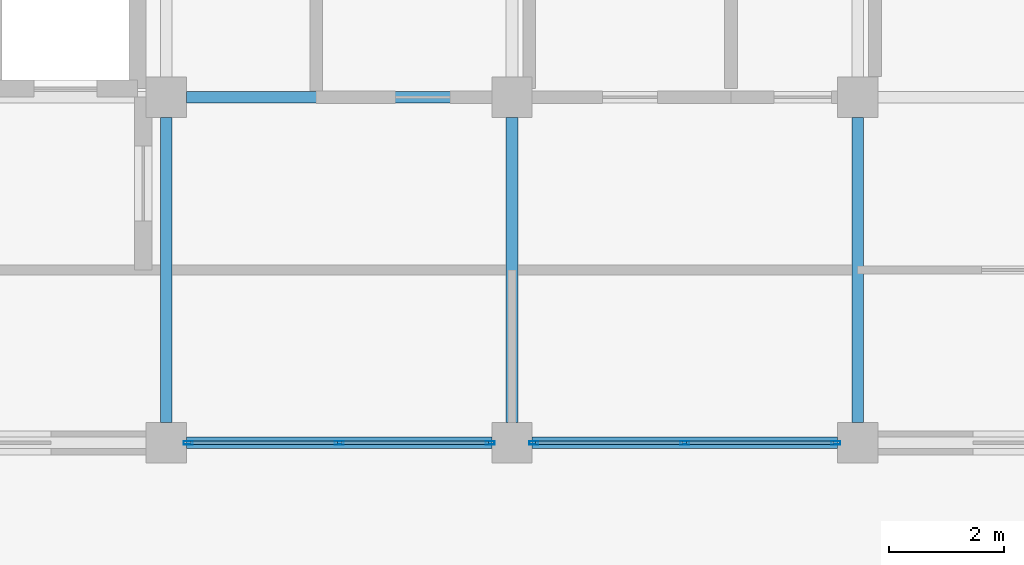
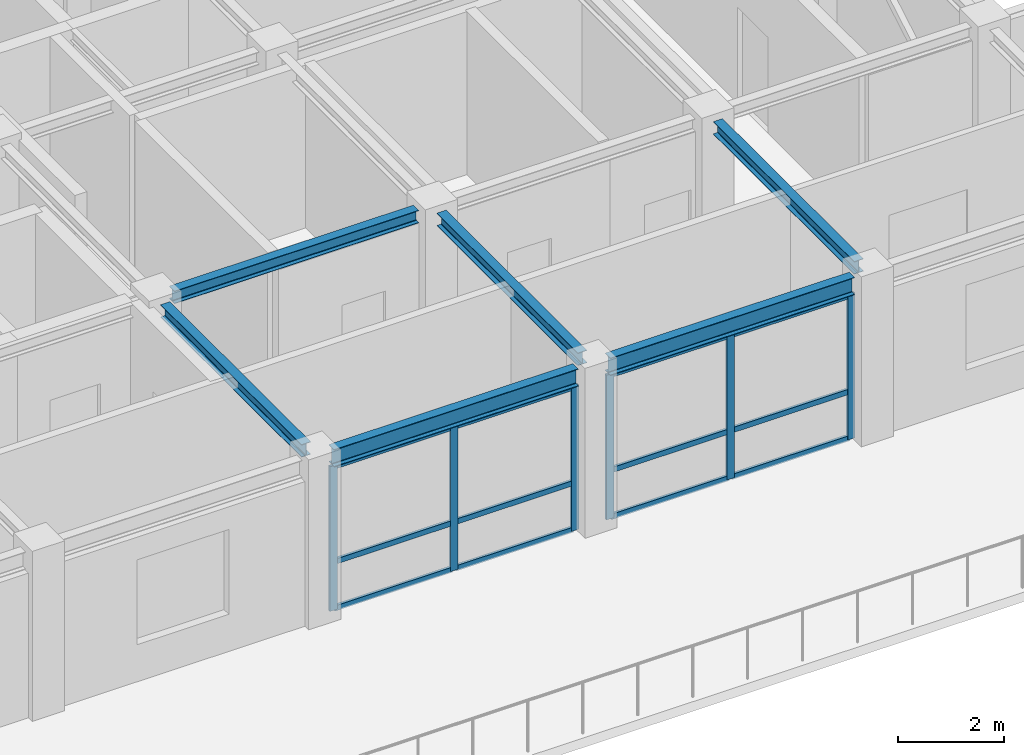
# One storey, part 4 of 11: 18 members, 6 beams, 2 elements without a shape of their own.
"""IFC4 building model written with IfcOpenShell, lengths in metres."""

from ifc_helpers import new_model, si_unit, direction, frame, origin, origin_2d, place, context, subcontext, project, spatial, hollow_rectangle, i_section, extrude, material, layer, layer_set, material_profile, profile_set, type_object, element, aggregate, save


model = new_model("IFC4")

# Units and contexts
model_context = context("Model", 3, precision=1e-05, world=origin(), true_north=direction((0.0, 1.0)))
body_context = subcontext(model_context, "Body", "Model", "MODEL_VIEW")
ifc_project = project(units=[si_unit("LENGTHUNIT", "METRE"), si_unit("AREAUNIT", "SQUARE_METRE"), si_unit("VOLUMEUNIT", "CUBIC_METRE"), si_unit("PLANEANGLEUNIT", "RADIAN"), si_unit("MASSUNIT", "GRAM", prefix="KILO")], contexts=[model_context])

# Site, building, storey
site_placement = place(None, origin())
site = spatial("IfcSite", under=ifc_project, at=site_placement, CompositionType="ELEMENT")
building_placement = place(site_placement, origin())
building = spatial("IfcBuilding", under=site, at=building_placement, Name="Zlatovratsky Civic Hall", CompositionType="ELEMENT")
storey_placement = place(building_placement, frame((0.0, 0.0, 52.199951171875)))
storey = spatial("IfcBuildingStorey", under=building, at=storey_placement, Name="L13", CompositionType="ELEMENT", Elevation=52.199951171875)

# Beams
ifc_material_1 = material(Name="Steel S355", Category="steel")
ifc_material_profile_1 = material_profile(ifc_material_1, i_section(OverallWidth=0.199951171875, OverallDepth=0.39990234375, WebThickness=0.008056640625, FlangeThickness=0.012939453125, FilletRadius=0.014892578125, at=origin_2d()), Name="40B2")
ifc_profile_set_1 = profile_set([ifc_material_profile_1], Name="Steel S355")
beam_type_1 = type_object("IfcBeamType", Name="Beam_Spandrel_40B2", PredefinedType="SPANDREL", material=ifc_profile_set_1)
for number, where, z_axis, x_axis, name in (
    (1, (78.35009765625, 78.0, 3.5400390625), (1.0, 0.0, 0.0), (0.0, 1.0, 0.0), "BM-4892"),
    (2, (84.35009765625, 78.0, 3.5400390625), (1.0, 0.0, 0.0), (0.0, 1.0, 0.0), "BM-4893"),
):
    element("IfcBeam", number, at=place(storey_placement, frame(where, z_axis=z_axis, x_axis=x_axis)), inside=storey, type_object=beam_type_1, Name=name, PredefinedType="SPANDREL", context=body_context, shape_type="SweptSolid", body=[
        extrude(i_section(OverallWidth=0.199951171875, OverallDepth=0.39990234375, WebThickness=0.008056640625, FlangeThickness=0.012939453125, FilletRadius=0.014892578125, at=origin_2d()), origin(), (0.0, 0.0, 1.0), 5.2998046875),
    ])
ifc_material_profile_2 = material_profile(ifc_material_1, i_section(OverallWidth=0.199951171875, OverallDepth=0.291015625, WebThickness=0.008056640625, FlangeThickness=0.010986328125, FilletRadius=0.01806640625, at=origin_2d()), Name="30Sh1")
ifc_profile_set_2 = profile_set([ifc_material_profile_2], Name="Steel S355")
beam_type_2 = type_object("IfcBeamType", Name="Beam_TowerHigh_30Sh1", PredefinedType="BEAM", material=ifc_profile_set_2)
for number, where, z_axis, x_axis, name in (
    (3, (78.35009765625, 84.0, 3.594482421875), (1.0, 0.0, 0.0), (0.0, 1.0, 0.0), "BM-4900"),
    (4, (78.0, 78.35009765625, 3.594482421875), (0.0, 1.0, 0.0), (-1.0, 0.0, 0.0), "BM-4939"),
    (5, (84.0, 78.35009765625, 3.594482421875), (0.0, 1.0, 0.0), (-1.0, 0.0, 0.0), "BM-4943"),
    (6, (90.0, 78.35009765625, 3.594482421875), (0.0, 1.0, 0.0), (-1.0, 0.0, 0.0), "BM-4947"),
):
    element("IfcBeam", number, at=place(storey_placement, frame(where, z_axis=z_axis, x_axis=x_axis)), inside=storey, type_object=beam_type_2, Name=name, PredefinedType="BEAM", context=body_context, shape_type="SweptSolid", body=[
        extrude(i_section(OverallWidth=0.199951171875, OverallDepth=0.291015625, WebThickness=0.008056640625, FlangeThickness=0.010986328125, FilletRadius=0.01806640625, at=origin_2d()), origin(), (0.0, 0.0, 1.0), 5.2998046875),
    ])

# Curtain wall, members
ifc_material_2 = material(Name="Anodised bronze aluminium", Category="aluminium")
ifc_layer = layer(ifc_material_2, 0.159912109375)
ifc_layer_set = layer_set([ifc_layer], Name="Anodised bronze aluminium")
curtain_wall_type = type_object("IfcCurtainWallType", Name="CurtainWall_Bronze_5300x3320_21", PredefinedType="NOTDEFINED", material=ifc_layer_set)
curtain_wall_1_placement = place(storey_placement, origin())
curtain_wall_1 = element("IfcCurtainWall", 7, at=curtain_wall_1_placement, inside=storey, type_object=curtain_wall_type, Name="CW-161", PredefinedType="NOTDEFINED")
ifc_material_profile_3 = material_profile(ifc_material_2, hollow_rectangle(XDim=0.06005859375, YDim=0.159912109375, WallThickness=0.00390625, at=origin_2d()), Name="ALU 60x160x4")
ifc_profile_set_3 = profile_set([ifc_material_profile_3], Name="Anodised bronze aluminium")
member_type_1 = type_object("IfcMemberType", Name="CW_Mullion_60x160", PredefinedType="MULLION", material=ifc_profile_set_3)
member_1_placement = place(storey_placement, frame((78.3798828125, 78.0, 0.0), z_axis=(0.0, 0.0, 1.0), x_axis=(0.0, 1.0, 0.0)))
member_1 = element("IfcMember", 8, at=member_1_placement, type_object=member_type_1, Name="CW-21 mullion 1", PredefinedType="MULLION", context=body_context, shape_type="SweptSolid", body=[
    extrude(hollow_rectangle(XDim=0.06005859375, YDim=0.159912109375, WallThickness=0.00390625, at=origin_2d()), origin(), (0.0, 0.0, 1.0), 3.320068359375),
])
member_2_placement = place(storey_placement, frame((81.0, 78.0, 0.0), z_axis=(0.0, 0.0, 1.0), x_axis=(0.0, 1.0, 0.0)))
member_2 = element("IfcMember", 9, at=member_2_placement, type_object=member_type_1, Name="CW-21 mullion 2", PredefinedType="MULLION", context=body_context, shape_type="SweptSolid", body=[
    extrude(hollow_rectangle(XDim=0.06005859375, YDim=0.159912109375, WallThickness=0.00390625, at=origin_2d()), origin(), (0.0, 0.0, 1.0), 3.320068359375),
])
member_3_placement = place(storey_placement, frame((83.6201171875, 78.0, 0.0), z_axis=(0.0, 0.0, 1.0), x_axis=(0.0, 1.0, 0.0)))
member_3 = element("IfcMember", 10, at=member_3_placement, type_object=member_type_1, Name="CW-21 mullion 3", PredefinedType="MULLION", context=body_context, shape_type="SweptSolid", body=[
    extrude(hollow_rectangle(XDim=0.06005859375, YDim=0.159912109375, WallThickness=0.00390625, at=origin_2d()), origin(), (0.0, 0.0, 1.0), 3.320068359375),
])

curtain_wall_2_placement = place(storey_placement, origin())
curtain_wall_2 = element("IfcCurtainWall", 11, at=curtain_wall_2_placement, inside=storey, type_object=curtain_wall_type, Name="CW-162", PredefinedType="NOTDEFINED")
member_4_placement = place(storey_placement, frame((84.3798828125, 78.0, 0.0), z_axis=(0.0, 0.0, 1.0), x_axis=(0.0, 1.0, 0.0)))
member_4 = element("IfcMember", 12, at=member_4_placement, type_object=member_type_1, Name="CW-21 mullion 1", PredefinedType="MULLION", context=body_context, shape_type="SweptSolid", body=[
    extrude(hollow_rectangle(XDim=0.06005859375, YDim=0.159912109375, WallThickness=0.00390625, at=origin_2d()), origin(), (0.0, 0.0, 1.0), 3.320068359375),
])
member_5_placement = place(storey_placement, frame((87.0, 78.0, 0.0), z_axis=(0.0, 0.0, 1.0), x_axis=(0.0, 1.0, 0.0)))
member_5 = element("IfcMember", 13, at=member_5_placement, type_object=member_type_1, Name="CW-21 mullion 2", PredefinedType="MULLION", context=body_context, shape_type="SweptSolid", body=[
    extrude(hollow_rectangle(XDim=0.06005859375, YDim=0.159912109375, WallThickness=0.00390625, at=origin_2d()), origin(), (0.0, 0.0, 1.0), 3.320068359375),
])
member_6_placement = place(storey_placement, frame((89.6201171875, 78.0, 0.0), z_axis=(0.0, 0.0, 1.0), x_axis=(0.0, 1.0, 0.0)))
member_6 = element("IfcMember", 14, at=member_6_placement, type_object=member_type_1, Name="CW-21 mullion 3", PredefinedType="MULLION", context=body_context, shape_type="SweptSolid", body=[
    extrude(hollow_rectangle(XDim=0.06005859375, YDim=0.159912109375, WallThickness=0.00390625, at=origin_2d()), origin(), (0.0, 0.0, 1.0), 3.320068359375),
])

# Member
ifc_material_profile_4 = material_profile(ifc_material_2, hollow_rectangle(XDim=0.06005859375, YDim=0.1201171875, WallThickness=0.00390625, at=origin_2d()), Name="ALU 60x120x4")
ifc_profile_set_4 = profile_set([ifc_material_profile_4], Name="Anodised bronze aluminium")
member_type_2 = type_object("IfcMemberType", Name="CW_Transom_60x120", PredefinedType="USERDEFINED", material=ifc_profile_set_4)
member_7_placement = place(storey_placement, frame((78.409912109375, 78.0, 0.030029296875), z_axis=(1.0, 0.0, 0.0), x_axis=(0.0, 1.0, 0.0)))
member_7 = element("IfcMember", 15, at=member_7_placement, type_object=member_type_2, Name="CW-21 transom 1.1", ObjectType="TRANSOM", PredefinedType="USERDEFINED", context=body_context, shape_type="SweptSolid", body=[
    extrude(hollow_rectangle(XDim=0.06005859375, YDim=0.1201171875, WallThickness=0.00390625, at=origin_2d()), origin(), (0.0, 0.0, 1.0), 2.56005859375),
])

member_8_placement = place(storey_placement, frame((78.409912109375, 78.0, 1.10009765625), z_axis=(1.0, 0.0, 0.0), x_axis=(0.0, 1.0, 0.0)))
member_8 = element("IfcMember", 16, at=member_8_placement, type_object=member_type_2, Name="CW-21 transom 1.2", ObjectType="TRANSOM", PredefinedType="USERDEFINED", context=body_context, shape_type="SweptSolid", body=[
    extrude(hollow_rectangle(XDim=0.06005859375, YDim=0.1201171875, WallThickness=0.00390625, at=origin_2d()), origin(), (0.0, 0.0, 1.0), 2.56005859375),
])

member_9_placement = place(storey_placement, frame((78.409912109375, 78.0, 3.2900390625), z_axis=(1.0, 0.0, 0.0), x_axis=(0.0, 1.0, 0.0)))
member_9 = element("IfcMember", 17, at=member_9_placement, type_object=member_type_2, Name="CW-21 transom 1.3", ObjectType="TRANSOM", PredefinedType="USERDEFINED", context=body_context, shape_type="SweptSolid", body=[
    extrude(hollow_rectangle(XDim=0.06005859375, YDim=0.1201171875, WallThickness=0.00390625, at=origin_2d()), origin(), (0.0, 0.0, 1.0), 2.56005859375),
])

member_10_placement = place(storey_placement, frame((81.030029296875, 78.0, 0.030029296875), z_axis=(1.0, 0.0, 0.0), x_axis=(0.0, 1.0, 0.0)))
member_10 = element("IfcMember", 18, at=member_10_placement, type_object=member_type_2, Name="CW-21 transom 2.1", ObjectType="TRANSOM", PredefinedType="USERDEFINED", context=body_context, shape_type="SweptSolid", body=[
    extrude(hollow_rectangle(XDim=0.06005859375, YDim=0.1201171875, WallThickness=0.00390625, at=origin_2d()), origin(), (0.0, 0.0, 1.0), 2.56005859375),
])

member_11_placement = place(storey_placement, frame((81.030029296875, 78.0, 1.10009765625), z_axis=(1.0, 0.0, 0.0), x_axis=(0.0, 1.0, 0.0)))
member_11 = element("IfcMember", 19, at=member_11_placement, type_object=member_type_2, Name="CW-21 transom 2.2", ObjectType="TRANSOM", PredefinedType="USERDEFINED", context=body_context, shape_type="SweptSolid", body=[
    extrude(hollow_rectangle(XDim=0.06005859375, YDim=0.1201171875, WallThickness=0.00390625, at=origin_2d()), origin(), (0.0, 0.0, 1.0), 2.56005859375),
])

member_12_placement = place(storey_placement, frame((81.030029296875, 78.0, 3.2900390625), z_axis=(1.0, 0.0, 0.0), x_axis=(0.0, 1.0, 0.0)))
member_12 = element("IfcMember", 20, at=member_12_placement, type_object=member_type_2, Name="CW-21 transom 2.3", ObjectType="TRANSOM", PredefinedType="USERDEFINED", context=body_context, shape_type="SweptSolid", body=[
    extrude(hollow_rectangle(XDim=0.06005859375, YDim=0.1201171875, WallThickness=0.00390625, at=origin_2d()), origin(), (0.0, 0.0, 1.0), 2.56005859375),
])

aggregate(curtain_wall_1, [member_1, member_2, member_3, member_7, member_8, member_9, member_10, member_11, member_12])

member_13_placement = place(storey_placement, frame((84.409912109375, 78.0, 0.030029296875), z_axis=(1.0, 0.0, 0.0), x_axis=(0.0, 1.0, 0.0)))
member_13 = element("IfcMember", 21, at=member_13_placement, type_object=member_type_2, Name="CW-21 transom 1.1", ObjectType="TRANSOM", PredefinedType="USERDEFINED", context=body_context, shape_type="SweptSolid", body=[
    extrude(hollow_rectangle(XDim=0.06005859375, YDim=0.1201171875, WallThickness=0.00390625, at=origin_2d()), origin(), (0.0, 0.0, 1.0), 2.56005859375),
])

member_14_placement = place(storey_placement, frame((84.409912109375, 78.0, 1.10009765625), z_axis=(1.0, 0.0, 0.0), x_axis=(0.0, 1.0, 0.0)))
member_14 = element("IfcMember", 22, at=member_14_placement, type_object=member_type_2, Name="CW-21 transom 1.2", ObjectType="TRANSOM", PredefinedType="USERDEFINED", context=body_context, shape_type="SweptSolid", body=[
    extrude(hollow_rectangle(XDim=0.06005859375, YDim=0.1201171875, WallThickness=0.00390625, at=origin_2d()), origin(), (0.0, 0.0, 1.0), 2.56005859375),
])

member_15_placement = place(storey_placement, frame((84.409912109375, 78.0, 3.2900390625), z_axis=(1.0, 0.0, 0.0), x_axis=(0.0, 1.0, 0.0)))
member_15 = element("IfcMember", 23, at=member_15_placement, type_object=member_type_2, Name="CW-21 transom 1.3", ObjectType="TRANSOM", PredefinedType="USERDEFINED", context=body_context, shape_type="SweptSolid", body=[
    extrude(hollow_rectangle(XDim=0.06005859375, YDim=0.1201171875, WallThickness=0.00390625, at=origin_2d()), origin(), (0.0, 0.0, 1.0), 2.56005859375),
])

member_16_placement = place(storey_placement, frame((87.030029296875, 78.0, 0.030029296875), z_axis=(1.0, 0.0, 0.0), x_axis=(0.0, 1.0, 0.0)))
member_16 = element("IfcMember", 24, at=member_16_placement, type_object=member_type_2, Name="CW-21 transom 2.1", ObjectType="TRANSOM", PredefinedType="USERDEFINED", context=body_context, shape_type="SweptSolid", body=[
    extrude(hollow_rectangle(XDim=0.06005859375, YDim=0.1201171875, WallThickness=0.00390625, at=origin_2d()), origin(), (0.0, 0.0, 1.0), 2.56005859375),
])

member_17_placement = place(storey_placement, frame((87.030029296875, 78.0, 1.10009765625), z_axis=(1.0, 0.0, 0.0), x_axis=(0.0, 1.0, 0.0)))
member_17 = element("IfcMember", 25, at=member_17_placement, type_object=member_type_2, Name="CW-21 transom 2.2", ObjectType="TRANSOM", PredefinedType="USERDEFINED", context=body_context, shape_type="SweptSolid", body=[
    extrude(hollow_rectangle(XDim=0.06005859375, YDim=0.1201171875, WallThickness=0.00390625, at=origin_2d()), origin(), (0.0, 0.0, 1.0), 2.56005859375),
])

member_18_placement = place(storey_placement, frame((87.030029296875, 78.0, 3.2900390625), z_axis=(1.0, 0.0, 0.0), x_axis=(0.0, 1.0, 0.0)))
member_18 = element("IfcMember", 26, at=member_18_placement, type_object=member_type_2, Name="CW-21 transom 2.3", ObjectType="TRANSOM", PredefinedType="USERDEFINED", context=body_context, shape_type="SweptSolid", body=[
    extrude(hollow_rectangle(XDim=0.06005859375, YDim=0.1201171875, WallThickness=0.00390625, at=origin_2d()), origin(), (0.0, 0.0, 1.0), 2.56005859375),
])

aggregate(curtain_wall_2, [member_4, member_5, member_6, member_13, member_14, member_15, member_16, member_17, member_18])

save(model, "model.ifc")
